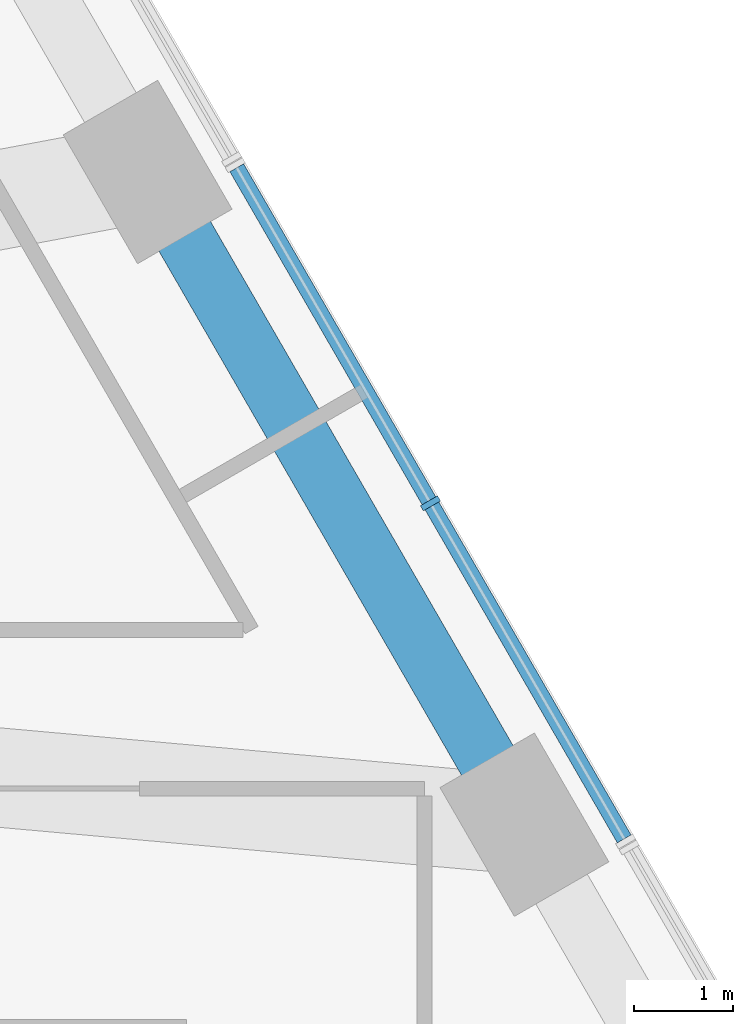
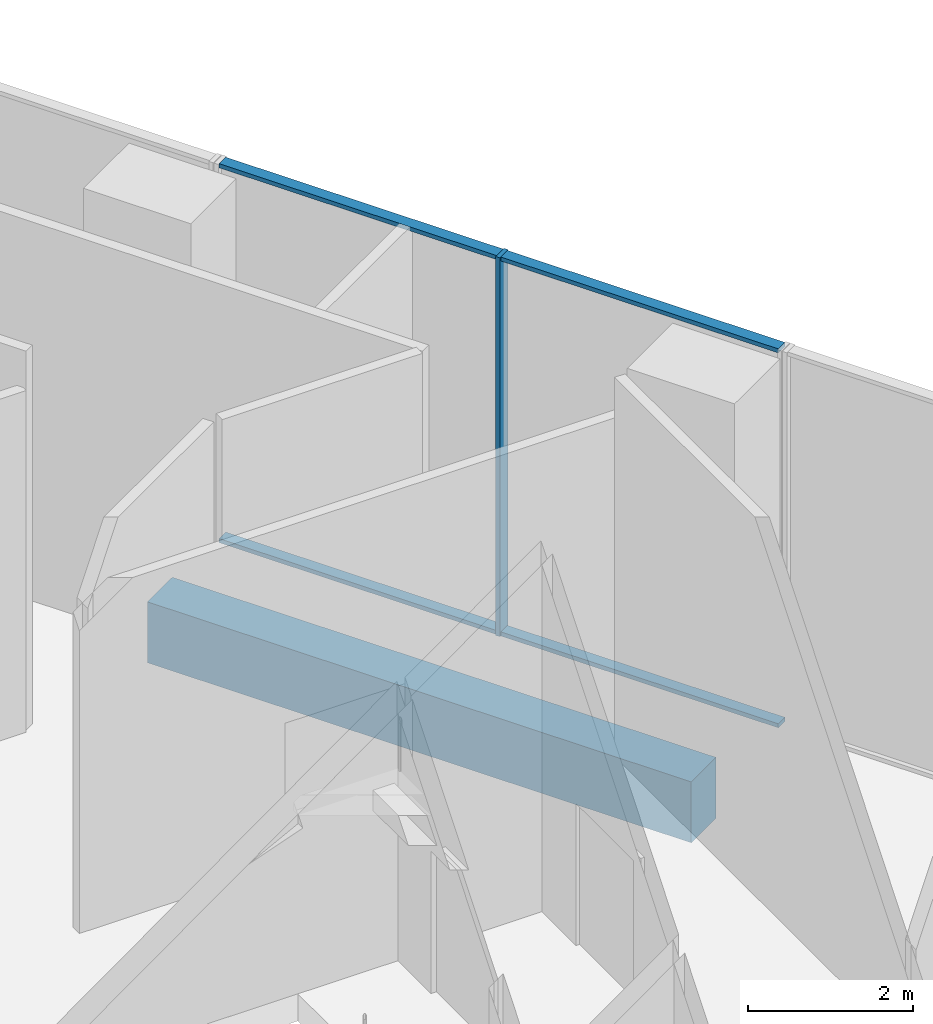
# One storey, part 15 of 36: 5 members, 1 beam, 1 element without a shape of its own.
"""IFC4 building model written with IfcOpenShell, lengths in metres."""

from ifc_helpers import new_model, si_unit, direction, frame, origin, origin_2d, place, context, subcontext, project, spatial, rectangle, extrude, material, layer, layer_set, material_profile, profile_set, type_object, element, aggregate, save


model = new_model("IFC4")

# Units and contexts
model_context = context("Model", 3, precision=1e-05, world=origin(), true_north=direction((0.0, 1.0)))
body_context = subcontext(model_context, "Body", "Model", "MODEL_VIEW")
ifc_project = project(units=[si_unit("LENGTHUNIT", "METRE"), si_unit("AREAUNIT", "SQUARE_METRE"), si_unit("VOLUMEUNIT", "CUBIC_METRE"), si_unit("PLANEANGLEUNIT", "RADIAN"), si_unit("MASSUNIT", "GRAM", prefix="KILO")], contexts=[model_context])

# Site, building, storey
site_placement = place(None, origin())
site = spatial("IfcSite", under=ifc_project, at=site_placement, CompositionType="ELEMENT")
building_placement = place(site_placement, origin())
building = spatial("IfcBuilding", under=site, at=building_placement, Name="Triada Interchange Tower", CompositionType="ELEMENT")
storey_placement = place(building_placement, frame((0.0, 0.0, 8.5)))
storey = spatial("IfcBuildingStorey", under=building, at=storey_placement, Name="L01", CompositionType="ELEMENT", Elevation=8.5)

# Curtain wall, member
ifc_material_1 = material(Name="Aluminium framed glazing", Category="aluminium")
ifc_layer = layer(ifc_material_1, 0.199951171875)
ifc_layer_set = layer_set([ifc_layer], Name="Curtain wall Concourse glazed screen")
curtain_wall_type = type_object("IfcCurtainWallType", Name="Curtain wall Concourse glazed screen", PredefinedType="NOTDEFINED", material=ifc_layer_set)
curtain_wall_placement = place(storey_placement, origin())
curtain_wall = element("IfcCurtainWall", 1, at=curtain_wall_placement, inside=storey, type_object=curtain_wall_type, Name="Concourse glazed screen CW019 L01", PredefinedType="NOTDEFINED")
ifc_material_2 = material(Name="Aluminium", Category="aluminium")
ifc_material_profile_1 = material_profile(ifc_material_2, rectangle(XDim=0.199951171875, YDim=0.06005859375, at=origin_2d()), Name="Aluminium mullion")
ifc_profile_set_1 = profile_set([ifc_material_profile_1], Name="Aluminium")
member_type_1 = type_object("IfcMemberType", Name="Mullion Concourse glazed screen 200x60", PredefinedType="MULLION", material=ifc_profile_set_1)
member_1_placement = place(storey_placement, frame((25.3583984375, 0.8779296875, 0.0), z_axis=(0.0, 0.0, 1.0), x_axis=(-0.866055473648, -0.499947913852, 0.0)))
member_1 = element("IfcMember", 2, at=member_1_placement, type_object=member_type_1, Name="CW019 mullion 2", PredefinedType="MULLION", context=body_context, shape_type="SweptSolid", body=[
    extrude(rectangle(XDim=0.199951171875, YDim=0.06005859375, at=origin_2d()), origin(), (0.0, 0.0, 1.0), 5.60009765625),
])

# Beam
ifc_material_3 = material(Name="Concrete C50/60", Category="concrete")
ifc_material_profile_2 = material_profile(ifc_material_3, rectangle(XDim=0.60009765625, YDim=0.89990234375, at=origin_2d()), Name="RC 600x900")
ifc_profile_set_2 = profile_set([ifc_material_profile_2], Name="Concrete C50/60")
beam_type = type_object("IfcBeamType", Name="Spandrel beam P RC 600x900", PredefinedType="BEAM", material=ifc_profile_set_2)
beam_placement = place(storey_placement, frame((26.305908203125, -2.363037109375, -0.85009765625), z_axis=(-0.499967155389, 0.866044365799, 0.0), x_axis=(-0.866044365799, -0.499967155389, 0.0)))
element("IfcBeam", 3, at=beam_placement, inside=storey, type_object=beam_type, Name="Spandrel beam EP23 L01", PredefinedType="BEAM", context=body_context, shape_type="SweptSolid", body=[
    extrude(rectangle(XDim=0.60009765625, YDim=0.89990234375, at=origin_2d()), origin(), (0.0, 0.0, 1.0), 7.60009765625),
])

# Member
ifc_material_profile_3 = material_profile(ifc_material_2, rectangle(XDim=0.159912109375, YDim=0.06005859375, at=origin_2d()), Name="Aluminium transom")
ifc_profile_set_3 = profile_set([ifc_material_profile_3], Name="Aluminium")
member_type_2 = type_object("IfcMemberType", Name="Transom Concourse glazed screen 160x60", PredefinedType="USERDEFINED", material=ifc_profile_set_3)
member_2_placement = place(storey_placement, frame((27.31201171875, -2.506103515625, 0.030029296875), z_axis=(-0.499931386026, 0.866065014457, 0.0), x_axis=(-0.866065014457, -0.499931386026, 0.0)))
member_2 = element("IfcMember", 4, at=member_2_placement, type_object=member_type_2, Name="CW019 transom 1.1", ObjectType="TRANSOM", PredefinedType="USERDEFINED", context=body_context, shape_type="SweptSolid", body=[
    extrude(rectangle(XDim=0.159912109375, YDim=0.06005859375, at=origin_2d()), origin(), (0.0, 0.0, 1.0), 3.87744140625),
])

member_3_placement = place(storey_placement, frame((27.31201171875, -2.506103515625, 5.570068359375), z_axis=(-0.499931386026, 0.866065014457, 0.0), x_axis=(-0.866065014457, -0.499931386026, 0.0)))
member_3 = element("IfcMember", 5, at=member_3_placement, type_object=member_type_2, Name="CW019 transom 1.2", ObjectType="TRANSOM", PredefinedType="USERDEFINED", context=body_context, shape_type="SweptSolid", body=[
    extrude(rectangle(XDim=0.159912109375, YDim=0.06005859375, at=origin_2d()), origin(), (0.0, 0.0, 1.0), 3.87744140625),
])

member_4_placement = place(storey_placement, frame((25.343505859375, 0.904052734375, 0.030029296875), z_axis=(-0.499958648831, 0.866049276577, 0.0), x_axis=(-0.866049276577, -0.499958648831, 0.0)))
member_4 = element("IfcMember", 6, at=member_4_placement, type_object=member_type_2, Name="CW019 transom 2.1", ObjectType="TRANSOM", PredefinedType="USERDEFINED", context=body_context, shape_type="SweptSolid", body=[
    extrude(rectangle(XDim=0.159912109375, YDim=0.06005859375, at=origin_2d()), origin(), (0.0, 0.0, 1.0), 3.877197265625),
])

member_5_placement = place(storey_placement, frame((25.343505859375, 0.904052734375, 5.570068359375), z_axis=(-0.499958648831, 0.866049276577, 0.0), x_axis=(-0.866049276577, -0.499958648831, 0.0)))
member_5 = element("IfcMember", 7, at=member_5_placement, type_object=member_type_2, Name="CW019 transom 2.2", ObjectType="TRANSOM", PredefinedType="USERDEFINED", context=body_context, shape_type="SweptSolid", body=[
    extrude(rectangle(XDim=0.159912109375, YDim=0.06005859375, at=origin_2d()), origin(), (0.0, 0.0, 1.0), 3.877197265625),
])

aggregate(curtain_wall, [member_1, member_2, member_3, member_4, member_5])

save(model, "model.ifc")
